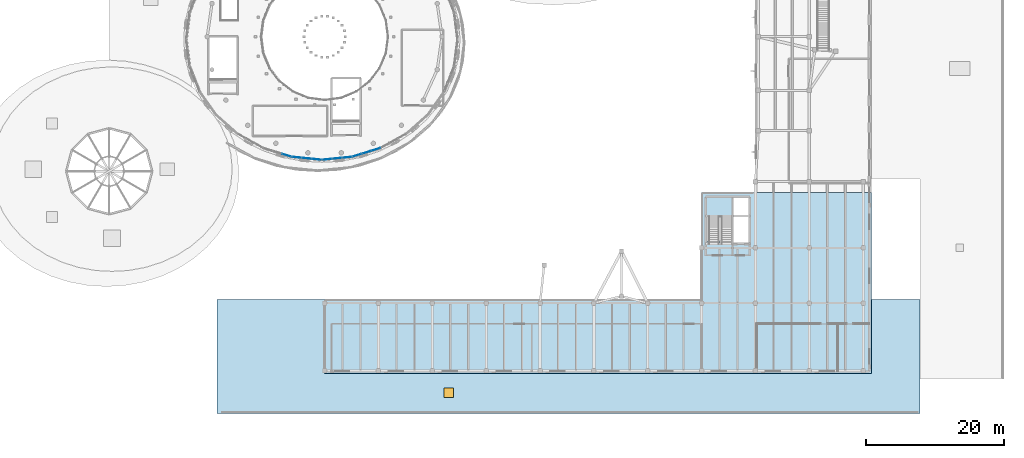
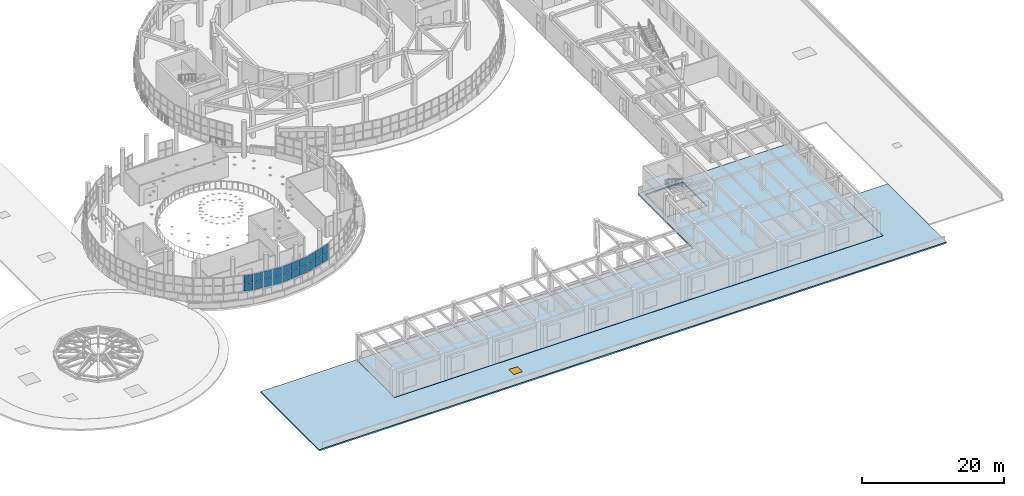
# One storey, part 70 of 105: 20 plates, 3 slabs, 1 window, 1 opening, 5 elements without a shape of their own.
"""IFC4 building model written with IfcOpenShell, lengths in metres."""

from ifc_helpers import new_model, si_unit, direction, frame, origin, origin_2d, place, context, subcontext, project, spatial, polyline, rectangle, outline, extrude, material, layer, layer_set, type_object, element, fill, aggregate, save


model = new_model("IFC4")

# Units and contexts
model_context = context("Model", 3, precision=1e-05, world=origin(), true_north=direction((0.0, 1.0)))
body_context = subcontext(model_context, "Body", "Model", "MODEL_VIEW")
ifc_project = project(units=[si_unit("LENGTHUNIT", "METRE"), si_unit("AREAUNIT", "SQUARE_METRE"), si_unit("VOLUMEUNIT", "CUBIC_METRE"), si_unit("PLANEANGLEUNIT", "RADIAN"), si_unit("MASSUNIT", "GRAM", prefix="KILO")], contexts=[model_context])

# Site, building, storey
site_placement = place(None, origin())
site = spatial("IfcSite", under=ifc_project, at=site_placement, CompositionType="ELEMENT")
building_placement = place(site_placement, origin())
building = spatial("IfcBuilding", under=site, at=building_placement, Name="Pelvatis Terrace Science Centre", CompositionType="ELEMENT")
storey_placement = place(building_placement, frame((0.0, 0.0, 10.199951171875)))
storey = spatial("IfcBuildingStorey", under=building, at=storey_placement, Name="L02", CompositionType="ELEMENT", Elevation=10.199951171875)

# Curtain wall, plates
ifc_material_1 = material(Name="Bronze-anodised aluminium and laminated glass", Category="aluminium")
ifc_layer_1 = layer(ifc_material_1, 0.179931640625)
ifc_layer_set_1 = layer_set([ifc_layer_1], Name="Bronze-anodised aluminium and laminated glass")
curtain_wall_type = type_object("IfcCurtainWallType", Name="CW-RIBBON-A", PredefinedType="NOTDEFINED", material=ifc_layer_set_1)
curtain_wall_1_placement = place(storey_placement, origin())
curtain_wall_1 = element("IfcCurtainWall", 1, at=curtain_wall_1_placement, inside=storey, type_object=curtain_wall_type, Name="Ribbon curtain wall CW-092 (L02)", PredefinedType="NOTDEFINED")
ifc_material_2 = material(Name="Low-e laminated solar-control double glazing", Category="glass")
ifc_layer_2 = layer(ifc_material_2, 0.035888671875)
ifc_layer_set_2 = layer_set([ifc_layer_2], Name="Low-e laminated solar-control double glazing")
plate_type = type_object("IfcPlateType", Name="CWP-IGU-36", PredefinedType="CURTAIN_PANEL", material=ifc_layer_set_2)
plate_1_placement = place(storey_placement, frame((72.52099609375, 37.406982421875, 1.080078125), z_axis=(0.0, 0.0, 1.0), x_axis=(0.954957016175, -0.296744161288, 0.0)))
plate_1 = element("IfcPlate", 2, at=plate_1_placement, type_object=plate_type, Name="CW-092 panel 3.1", PredefinedType="CURTAIN_PANEL", context=body_context, shape_type="SweptSolid", body=[
    extrude(rectangle(XDim=1.359619140625, YDim=0.035888671875, at=origin_2d()), origin(), (0.0, 0.0, 1.0), 1.330078125),
])
plate_2_placement = place(storey_placement, frame((72.52099609375, 37.406982421875, 2.469970703125), z_axis=(0.0, 0.0, 1.0), x_axis=(0.954957016175, -0.296744161288, 0.0)))
plate_2 = element("IfcPlate", 3, at=plate_2_placement, type_object=plate_type, Name="CW-092 panel 3.2", PredefinedType="CURTAIN_PANEL", context=body_context, shape_type="SweptSolid", body=[
    extrude(rectangle(XDim=1.359619140625, YDim=0.035888671875, at=origin_2d()), origin(), (0.0, 0.0, 1.0), 1.330078125),
])
aggregate(curtain_wall_1, [plate_1, plate_2])

curtain_wall_2_placement = place(storey_placement, origin())
curtain_wall_2 = element("IfcCurtainWall", 4, at=curtain_wall_2_placement, inside=storey, type_object=curtain_wall_type, Name="Ribbon curtain wall CW-093 (L02)", PredefinedType="NOTDEFINED")
plate_3_placement = place(storey_placement, frame((73.97119140625, 37.113037109375, 1.080078125), z_axis=(0.0, 0.0, 1.0), x_axis=(0.995031555798, -0.099560047039, 0.0)))
plate_3 = element("IfcPlate", 5, at=plate_3_placement, type_object=plate_type, Name="CW-093 panel 1.1", PredefinedType="CURTAIN_PANEL", context=body_context, shape_type="SweptSolid", body=[
    extrude(rectangle(XDim=1.374755859375, YDim=0.035888671875, at=origin_2d()), origin(), (0.0, 0.0, 1.0), 1.330078125),
])
plate_4_placement = place(storey_placement, frame((73.97119140625, 37.113037109375, 2.469970703125), z_axis=(0.0, 0.0, 1.0), x_axis=(0.995031555798, -0.099560047039, 0.0)))
plate_4 = element("IfcPlate", 6, at=plate_4_placement, type_object=plate_type, Name="CW-093 panel 1.2", PredefinedType="CURTAIN_PANEL", context=body_context, shape_type="SweptSolid", body=[
    extrude(rectangle(XDim=1.374755859375, YDim=0.035888671875, at=origin_2d()), origin(), (0.0, 0.0, 1.0), 1.330078125),
])
plate_5_placement = place(storey_placement, frame((75.413818359375, 36.96875, 1.080078125), z_axis=(0.0, 0.0, 1.0), x_axis=(0.995031555798, -0.099560047039, 0.0)))
plate_5 = element("IfcPlate", 7, at=plate_5_placement, type_object=plate_type, Name="CW-093 panel 2.1", PredefinedType="CURTAIN_PANEL", context=body_context, shape_type="SweptSolid", body=[
    extrude(rectangle(XDim=1.40478515625, YDim=0.035888671875, at=origin_2d()), origin(), (0.0, 0.0, 1.0), 1.330078125),
])
plate_6_placement = place(storey_placement, frame((75.413818359375, 36.96875, 2.469970703125), z_axis=(0.0, 0.0, 1.0), x_axis=(0.995031555798, -0.099560047039, 0.0)))
plate_6 = element("IfcPlate", 8, at=plate_6_placement, type_object=plate_type, Name="CW-093 panel 2.2", PredefinedType="CURTAIN_PANEL", context=body_context, shape_type="SweptSolid", body=[
    extrude(rectangle(XDim=1.40478515625, YDim=0.035888671875, at=origin_2d()), origin(), (0.0, 0.0, 1.0), 1.330078125),
])
plate_7_placement = place(storey_placement, frame((76.8564453125, 36.824462890625, 1.080078125), z_axis=(0.0, 0.0, 1.0), x_axis=(0.995031555798, -0.099560047039, 0.0)))
plate_7 = element("IfcPlate", 9, at=plate_7_placement, type_object=plate_type, Name="CW-093 panel 3.1", PredefinedType="CURTAIN_PANEL", context=body_context, shape_type="SweptSolid", body=[
    extrude(rectangle(XDim=1.374755859375, YDim=0.035888671875, at=origin_2d()), origin(), (0.0, 0.0, 1.0), 1.330078125),
])
plate_8_placement = place(storey_placement, frame((76.8564453125, 36.824462890625, 2.469970703125), z_axis=(0.0, 0.0, 1.0), x_axis=(0.995031555798, -0.099560047039, 0.0)))
plate_8 = element("IfcPlate", 10, at=plate_8_placement, type_object=plate_type, Name="CW-093 panel 3.2", PredefinedType="CURTAIN_PANEL", context=body_context, shape_type="SweptSolid", body=[
    extrude(rectangle(XDim=1.374755859375, YDim=0.035888671875, at=origin_2d()), origin(), (0.0, 0.0, 1.0), 1.330078125),
])
aggregate(curtain_wall_2, [plate_3, plate_4, plate_5, plate_6, plate_7, plate_8])

curtain_wall_3_placement = place(storey_placement, origin())
curtain_wall_3 = element("IfcCurtainWall", 11, at=curtain_wall_3_placement, inside=storey, type_object=curtain_wall_type, Name="Ribbon curtain wall CW-094 (L02)", PredefinedType="NOTDEFINED")
plate_9_placement = place(storey_placement, frame((78.34375, 36.824462890625, 1.080078125), z_axis=(0.0, 0.0, 1.0), x_axis=(0.995031555798, 0.099560047039, 0.0)))
plate_9 = element("IfcPlate", 12, at=plate_9_placement, type_object=plate_type, Name="CW-094 panel 1.1", PredefinedType="CURTAIN_PANEL", context=body_context, shape_type="SweptSolid", body=[
    extrude(rectangle(XDim=1.374755859375, YDim=0.035888671875, at=origin_2d()), origin(), (0.0, 0.0, 1.0), 1.330078125),
])
plate_10_placement = place(storey_placement, frame((78.34375, 36.824462890625, 2.469970703125), z_axis=(0.0, 0.0, 1.0), x_axis=(0.995031555798, 0.099560047039, 0.0)))
plate_10 = element("IfcPlate", 13, at=plate_10_placement, type_object=plate_type, Name="CW-094 panel 1.2", PredefinedType="CURTAIN_PANEL", context=body_context, shape_type="SweptSolid", body=[
    extrude(rectangle(XDim=1.374755859375, YDim=0.035888671875, at=origin_2d()), origin(), (0.0, 0.0, 1.0), 1.330078125),
])
plate_11_placement = place(storey_placement, frame((79.7861328125, 36.96875, 1.080078125), z_axis=(0.0, 0.0, 1.0), x_axis=(0.995031555798, 0.099560047039, 0.0)))
plate_11 = element("IfcPlate", 14, at=plate_11_placement, type_object=plate_type, Name="CW-094 panel 2.1", PredefinedType="CURTAIN_PANEL", context=body_context, shape_type="SweptSolid", body=[
    extrude(rectangle(XDim=1.40478515625, YDim=0.035888671875, at=origin_2d()), origin(), (0.0, 0.0, 1.0), 1.330078125),
])
plate_12_placement = place(storey_placement, frame((79.7861328125, 36.96875, 2.469970703125), z_axis=(0.0, 0.0, 1.0), x_axis=(0.995031555798, 0.099560047039, 0.0)))
plate_12 = element("IfcPlate", 15, at=plate_12_placement, type_object=plate_type, Name="CW-094 panel 2.2", PredefinedType="CURTAIN_PANEL", context=body_context, shape_type="SweptSolid", body=[
    extrude(rectangle(XDim=1.40478515625, YDim=0.035888671875, at=origin_2d()), origin(), (0.0, 0.0, 1.0), 1.330078125),
])
plate_13_placement = place(storey_placement, frame((81.228759765625, 37.113037109375, 1.080078125), z_axis=(0.0, 0.0, 1.0), x_axis=(0.995031555798, 0.099560047039, 0.0)))
plate_13 = element("IfcPlate", 16, at=plate_13_placement, type_object=plate_type, Name="CW-094 panel 3.1", PredefinedType="CURTAIN_PANEL", context=body_context, shape_type="SweptSolid", body=[
    extrude(rectangle(XDim=1.374755859375, YDim=0.035888671875, at=origin_2d()), origin(), (0.0, 0.0, 1.0), 1.330078125),
])
plate_14_placement = place(storey_placement, frame((81.228759765625, 37.113037109375, 2.469970703125), z_axis=(0.0, 0.0, 1.0), x_axis=(0.995031555798, 0.099560047039, 0.0)))
plate_14 = element("IfcPlate", 17, at=plate_14_placement, type_object=plate_type, Name="CW-094 panel 3.2", PredefinedType="CURTAIN_PANEL", context=body_context, shape_type="SweptSolid", body=[
    extrude(rectangle(XDim=1.374755859375, YDim=0.035888671875, at=origin_2d()), origin(), (0.0, 0.0, 1.0), 1.330078125),
])
aggregate(curtain_wall_3, [plate_9, plate_10, plate_11, plate_12, plate_13, plate_14])

curtain_wall_4_placement = place(storey_placement, origin())
curtain_wall_4 = element("IfcCurtainWall", 18, at=curtain_wall_4_placement, inside=storey, type_object=curtain_wall_type, Name="Ribbon curtain wall CW-095 (L02)", PredefinedType="NOTDEFINED")
plate_15_placement = place(storey_placement, frame((82.678955078125, 37.406982421875, 1.080078125), z_axis=(0.0, 0.0, 1.0), x_axis=(0.954957016175, 0.296744161288, 0.0)))
plate_15 = element("IfcPlate", 19, at=plate_15_placement, type_object=plate_type, Name="CW-095 panel 1.1", PredefinedType="CURTAIN_PANEL", context=body_context, shape_type="SweptSolid", body=[
    extrude(rectangle(XDim=1.359619140625, YDim=0.035888671875, at=origin_2d()), origin(), (0.0, 0.0, 1.0), 1.330078125),
])
plate_16_placement = place(storey_placement, frame((82.678955078125, 37.406982421875, 2.469970703125), z_axis=(0.0, 0.0, 1.0), x_axis=(0.954957016175, 0.296744161288, 0.0)))
plate_16 = element("IfcPlate", 20, at=plate_16_placement, type_object=plate_type, Name="CW-095 panel 1.2", PredefinedType="CURTAIN_PANEL", context=body_context, shape_type="SweptSolid", body=[
    extrude(rectangle(XDim=1.359619140625, YDim=0.035888671875, at=origin_2d()), origin(), (0.0, 0.0, 1.0), 1.330078125),
])
plate_17_placement = place(storey_placement, frame((84.049072265625, 37.832763671875, 1.080078125), z_axis=(0.0, 0.0, 1.0), x_axis=(0.954957016175, 0.296744161288, 0.0)))
plate_17 = element("IfcPlate", 21, at=plate_17_placement, type_object=plate_type, Name="CW-095 panel 2.1", PredefinedType="CURTAIN_PANEL", context=body_context, shape_type="SweptSolid", body=[
    extrude(rectangle(XDim=1.3896484375, YDim=0.035888671875, at=origin_2d()), origin(), (0.0, 0.0, 1.0), 1.330078125),
])
plate_18_placement = place(storey_placement, frame((84.049072265625, 37.832763671875, 2.469970703125), z_axis=(0.0, 0.0, 1.0), x_axis=(0.954957016175, 0.296744161288, 0.0)))
plate_18 = element("IfcPlate", 22, at=plate_18_placement, type_object=plate_type, Name="CW-095 panel 2.2", PredefinedType="CURTAIN_PANEL", context=body_context, shape_type="SweptSolid", body=[
    extrude(rectangle(XDim=1.3896484375, YDim=0.035888671875, at=origin_2d()), origin(), (0.0, 0.0, 1.0), 1.330078125),
])
plate_19_placement = place(storey_placement, frame((85.419189453125, 38.258544921875, 1.080078125), z_axis=(0.0, 0.0, 1.0), x_axis=(0.954957016175, 0.296744161288, 0.0)))
plate_19 = element("IfcPlate", 23, at=plate_19_placement, type_object=plate_type, Name="CW-095 panel 3.1", PredefinedType="CURTAIN_PANEL", context=body_context, shape_type="SweptSolid", body=[
    extrude(rectangle(XDim=1.359619140625, YDim=0.035888671875, at=origin_2d()), origin(), (0.0, 0.0, 1.0), 1.330078125),
])
plate_20_placement = place(storey_placement, frame((85.419189453125, 38.258544921875, 2.469970703125), z_axis=(0.0, 0.0, 1.0), x_axis=(0.954957016175, 0.296744161288, 0.0)))
plate_20 = element("IfcPlate", 24, at=plate_20_placement, type_object=plate_type, Name="CW-095 panel 3.2", PredefinedType="CURTAIN_PANEL", context=body_context, shape_type="SweptSolid", body=[
    extrude(rectangle(XDim=1.359619140625, YDim=0.035888671875, at=origin_2d()), origin(), (0.0, 0.0, 1.0), 1.330078125),
])
aggregate(curtain_wall_4, [plate_15, plate_16, plate_17, plate_18, plate_19, plate_20])

# Slab
ifc_material_3 = material(Name="Concrete C35/45", Category="concrete")
ifc_layer_3 = layer(ifc_material_3, 0.2451171875)
ifc_layer_set_3 = layer_set([ifc_layer_3], Name="Concrete C35/45")
slab_type_1 = type_object("IfcSlabType", Name="SLB-FLR-245", PredefinedType="FLOOR", material=ifc_layer_set_3)
slab_1_placement = place(storey_placement, frame((0.0, 0.0, -0.244873046875)))
element("IfcSlab", 25, at=slab_1_placement, inside=storey, type_object=slab_type_1, Name="L02 Dry physics and robotics studios slab", PredefinedType="FLOOR", context=body_context, shape_type="SweptSolid", body=[
    extrude(outline(polyline([(132.60009765625, 16.5), (132.60009765625, 32.0), (157.199951171875, 32.0), (157.199951171875, 5.800048828125), (78.0, 5.800048828125), (78.0, 16.5), (132.60009765625, 16.5)]), holes=[polyline([(135.280029296875, 25.02001953125), (135.280029296875, 24.52001953125), (139.47998046875, 24.52001953125), (139.47998046875, 31.280029296875), (133.320068359375, 31.280029296875), (133.320068359375, 25.02001953125), (135.280029296875, 25.02001953125)])]), origin(), (0.0, 0.0, 1.0), 0.244873046875),
])

# Stair, slab
ifc_material_4 = material(Name="Concrete C35/45", Category="concrete")
stair_type = type_object("IfcStairType", Name="STR-2RUN-1500-48", PredefinedType="TWO_STRAIGHT_RUN_STAIR", material=ifc_material_4)
stair_placement = place(storey_placement, origin())
stair = element("IfcStair", 26, at=stair_placement, inside=storey, type_object=stair_type, Name="Protected core stair ST-04-L02", PredefinedType="TWO_STRAIGHT_RUN_STAIR")
ifc_material_5 = material(Name="Concrete C35/45", Category="concrete")
ifc_layer_4 = layer(ifc_material_5, 0.199951171875)
ifc_layer_set_4 = layer_set([ifc_layer_4], Name="Concrete C35/45")
slab_type_2 = type_object("IfcSlabType", Name="SLB-LND-200", PredefinedType="LANDING", material=ifc_layer_set_4)
slab_2_placement = place(storey_placement, frame((0.0, 0.0, 2.199951171875)))
slab_2 = element("IfcSlab", 27, at=slab_2_placement, type_object=slab_type_2, Name="ST-04-L02 landing 1", PredefinedType="LANDING", context=body_context, shape_type="SweptSolid", body=[
    extrude(outline(polyline([(133.330078125, 28.5), (137.050048828125, 28.5), (137.050048828125, 31.27001953125), (133.330078125, 31.27001953125), (133.330078125, 28.5)])), origin(), (0.0, 0.0, 1.0), 0.2001953125),
])
aggregate(stair, [slab_2])

# Slab, opening, window
ifc_material_6 = material(Name="Concrete C35/45", Category="concrete")
ifc_layer_5 = layer(ifc_material_6, 0.236083984375)
ifc_layer_set_5 = layer_set([ifc_layer_5], Name="Concrete C35/45")
slab_type_3 = type_object("IfcSlabType", Name="SLB-ROOF-236", PredefinedType="ROOF", material=ifc_layer_set_5)
slab_3_placement = place(storey_placement, frame((0.0, 0.0, -0.23583984375)))
slab_3 = element("IfcSlab", 28, at=slab_3_placement, inside=storey, type_object=slab_type_3, Name="L02 South colonnade and wet-lab setback roof slab", PredefinedType="ROOF", context=body_context, shape_type="SweptSolid", body=[
    extrude(outline(polyline([(62.39990234375, 16.5), (77.97998046875, 16.5), (78.0, 5.780029296875), (157.201904296875, 5.780029296875), (157.219970703125, 16.5), (164.199951171875, 16.5), (164.199951171875, 0.0), (62.39990234375, 0.0), (62.39990234375, 16.5)])), origin(), (0.0, 0.0, 1.0), 0.23583984375),
])
opening_placement = place(slab_3_placement, frame((96.0, 3.0, 0.0)))
opening = element("IfcOpeningElement", 29, at=opening_placement, cuts=slab_3, Name="Opening LDM-04", PredefinedType="OPENING", context=body_context, shape_type="SweptSolid", body=[
    extrude(rectangle(XDim=1.39990234375, YDim=1.39990234375, at=origin_2d()), origin(), (0.0, 0.0, 1.0), 0.23583984375),
])
ifc_material_7 = material(Name="Bronze-anodised aluminium and laminated low-e glass", Category="aluminium")
window_type = type_object("IfcWindowType", Name="LDM-OCU-1400x1400", PartitioningType="SINGLE_PANEL", PredefinedType="LIGHTDOME", material=ifc_material_7)
window_placement = place(opening_placement, frame((0.0, 0.0, 0.185791015625)))
window = element("IfcWindow", 30, at=window_placement, inside=storey, type_object=window_type, Name="Roof lightdome LDM-04", OverallHeight=1.39990234375, OverallWidth=1.39990234375, PartitioningType="SINGLE_PANEL", PredefinedType="LIGHTDOME", context=body_context, shape_type="SweptSolid", body=[
    extrude(rectangle(XDim=1.39990234375, YDim=1.39990234375, at=origin_2d()), origin(), (0.0, 0.0, 1.0), 0.050048828125),
])
fill(opening, window)

save(model, "model.ifc")
